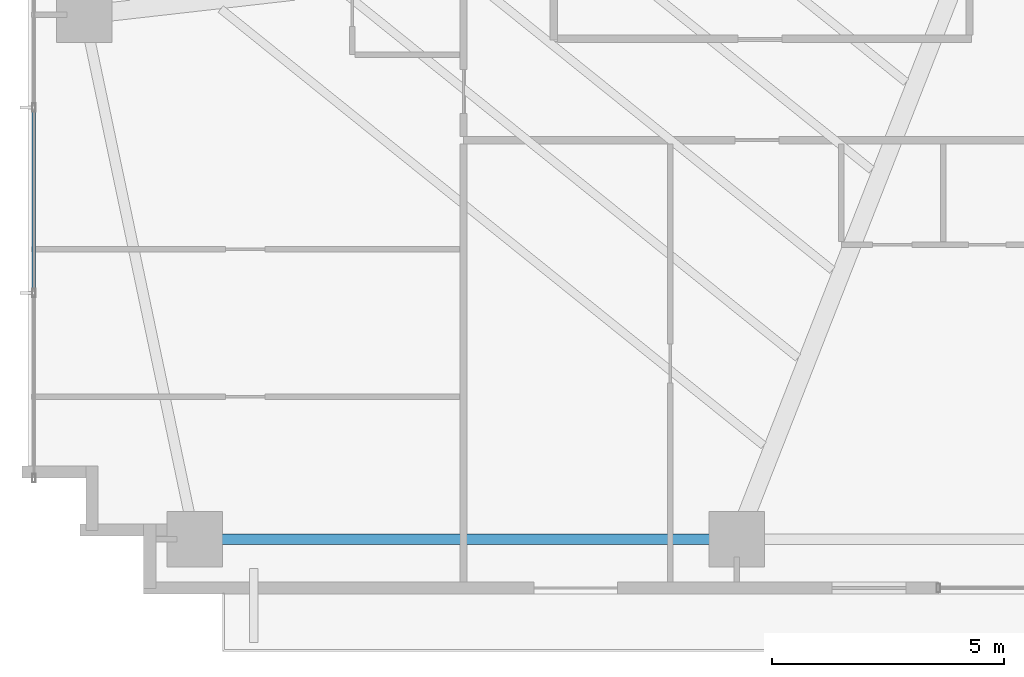
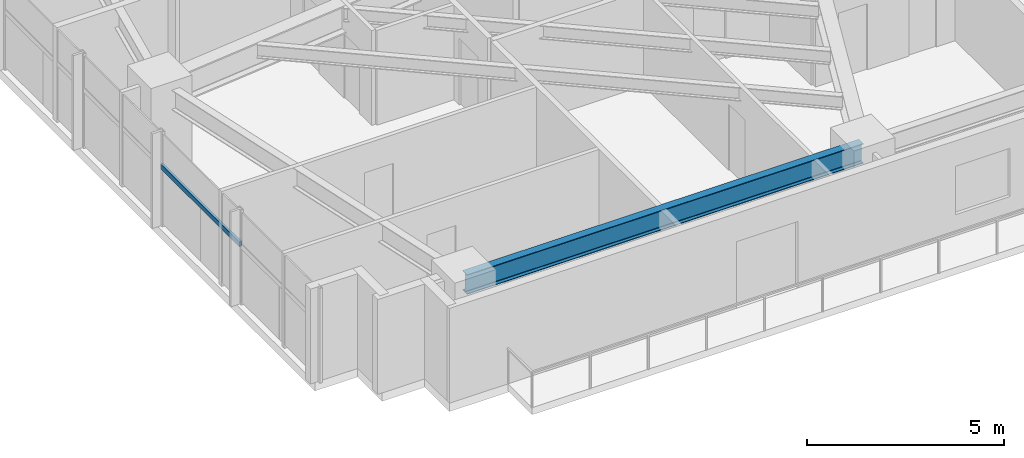
# One storey, part 3 of 25: 1 beam, 1 member, 1 element without a shape of its own.
"""IFC4 building model written with IfcOpenShell, lengths in metres."""

from ifc_helpers import new_model, si_unit, direction, frame, origin, origin_2d, place, context, subcontext, project, spatial, hollow_rectangle, i_section, extrude, source, transform, mapped, material, material_profile, profile_set, type_object, type_shapes, element, aggregate, save


model = new_model("IFC4")

# Units and contexts
model_context = context("Model", 3, precision=1e-05, world=origin(), true_north=direction((0.0, 1.0)))
body_context = subcontext(model_context, "Body", "Model", "MODEL_VIEW")
ifc_project = project(units=[si_unit("LENGTHUNIT", "METRE"), si_unit("AREAUNIT", "SQUARE_METRE"), si_unit("VOLUMEUNIT", "CUBIC_METRE"), si_unit("PLANEANGLEUNIT", "RADIAN"), si_unit("MASSUNIT", "GRAM", prefix="KILO")], contexts=[model_context])

# Site, building, storey
site_placement = place(None, origin())
site = spatial("IfcSite", under=ifc_project, at=site_placement, CompositionType="ELEMENT")
building_placement = place(site_placement, origin())
building = spatial("IfcBuilding", under=site, at=building_placement, Name="Astriad Promenade Condominiums", CompositionType="ELEMENT")
storey_placement = place(building_placement, frame((0.0, 0.0, 61.39990234375)))
storey = spatial("IfcBuildingStorey", under=building, at=storey_placement, Name="L17", CompositionType="ELEMENT", Elevation=61.39990234375)

# Beam
ifc_material_1 = material(Name="Steel ASTM A992 Grade 50", Category="steel")
ifc_material_profile_1 = material_profile(ifc_material_1, i_section(OverallWidth=0.22900390625, OverallDepth=0.612060546875, WebThickness=0.011962890625, FlangeThickness=0.01953125, FilletRadius=0.017822265625, at=origin_2d()), Name="W24X84")
ifc_profile_set_1 = profile_set([ifc_material_profile_1], Name="Steel ASTM A992 Grade 50")
beam_type = type_object("IfcBeamType", Name="STEEL SPANDREL BEAM W24X84", PredefinedType="SPANDREL", material=ifc_profile_set_1)
shared_shape_1 = source(origin(), body_context, "Body", "SweptSolid", [
    extrude(i_section(OverallWidth=0.22900390625, OverallDepth=0.612060546875, WebThickness=0.011962890625, FlangeThickness=0.01953125, FilletRadius=0.017822265625, at=origin_2d()), origin(), (0.0, 0.0, 1.0), 11.6201171875),
])
type_shapes(beam_type, [shared_shape_1])
beam_placement = place(storey_placement, frame((9.43994140625, 3.8798828125, 2.634033203125), z_axis=(1.0, 0.0, 0.0), x_axis=(0.0, 1.0, 0.0)))
element("IfcBeam", 1, at=beam_placement, inside=storey, type_object=beam_type, Name="Perimeter Spandrel Beam SP-S1-L17", PredefinedType="SPANDREL", context=body_context, shape_type="MappedRepresentation", body=[
    mapped(shared_shape_1, transform((0.0, 0.0, 0.0), scale=1.0)),
])

# Curtain wall, member
ifc_material_2 = material(Name="Anodised aluminium Black Dark Glass Unitised", Category="aluminium")
curtain_wall_type = type_object("IfcCurtainWallType", Name="CW-B1-DARK", PredefinedType="USERDEFINED", material=ifc_material_2)
curtain_wall_placement = place(storey_placement, origin())
curtain_wall = element("IfcCurtainWall", 2, at=curtain_wall_placement, inside=storey, type_object=curtain_wall_type, Name="CW-L17-W", ObjectType="UNITISED_CURTAIN_WALL", PredefinedType="USERDEFINED")
ifc_material_3 = material(Name="Anodised aluminium 6063-T6 Black", Category="aluminium")
ifc_material_profile_2 = material_profile(ifc_material_3, hollow_rectangle(XDim=0.074951171875, YDim=0.14990234375, WallThickness=0.004150390625, at=origin_2d()), Name="ALU-TRN-75X150")
ifc_profile_set_2 = profile_set([ifc_material_profile_2], Name="Anodised aluminium 6063-T6 Black")
member_type = type_object("IfcMemberType", Name="TRN-ALU-TRN-75X150", PredefinedType="USERDEFINED", material=ifc_profile_set_2)
shared_shape_2 = source(origin(), body_context, "Body", "SweptSolid", [
    extrude(hollow_rectangle(XDim=0.074951171875, YDim=0.14990234375, WallThickness=0.004150390625, at=origin_2d()), origin(), (0.0, 0.0, 1.0), 4.0),
])
type_shapes(member_type, [shared_shape_2])
member_placement = place(storey_placement, frame((5.929931640625, 9.199951171875, 1.822998046875), z_axis=(0.0, 1.0, 0.0), x_axis=(-1.0, 0.0, 0.0)))
member = element("IfcMember", 3, at=member_placement, type_object=member_type, Name="CW-L17-W-TRN-01-0", ObjectType="TRANSOM", PredefinedType="USERDEFINED", context=body_context, shape_type="MappedRepresentation", body=[
    mapped(shared_shape_2, transform((0.0, 0.0, 0.0), scale=1.0)),
])
aggregate(curtain_wall, [member])

save(model, "model.ifc")
